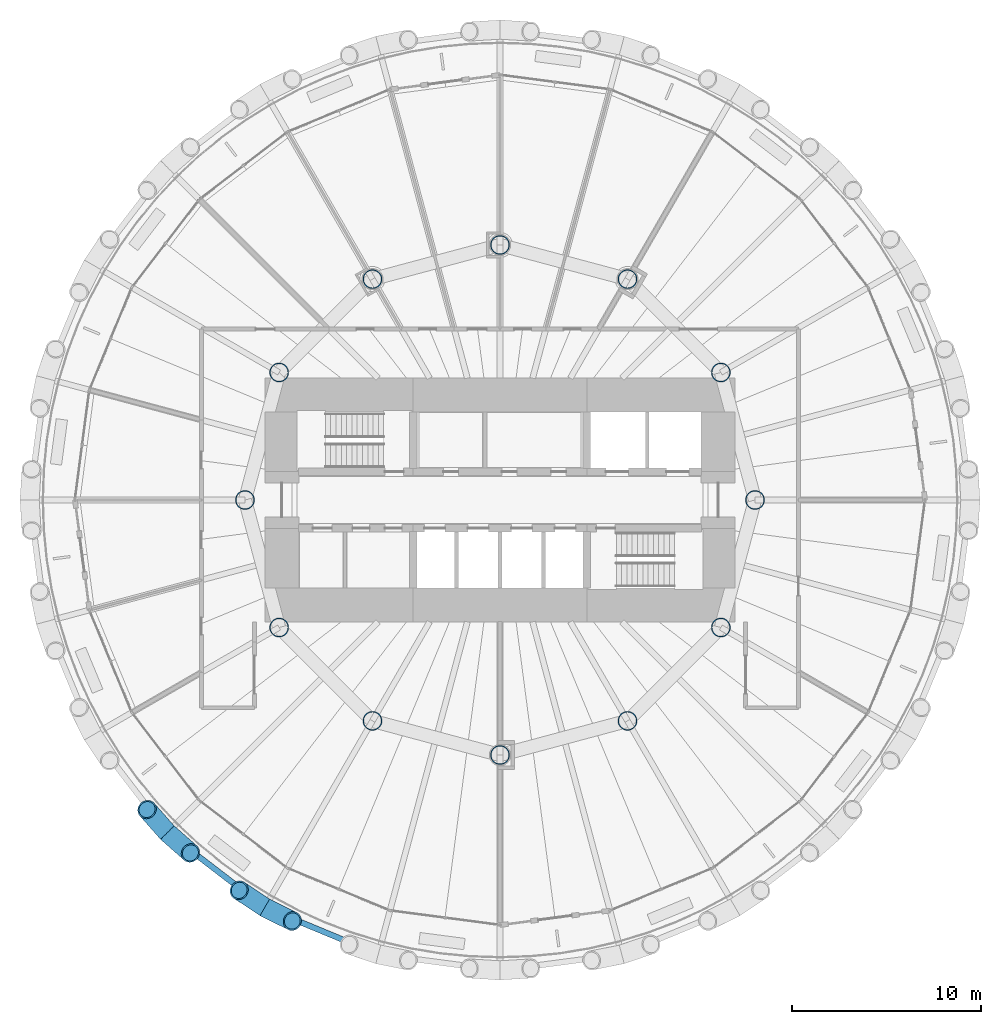
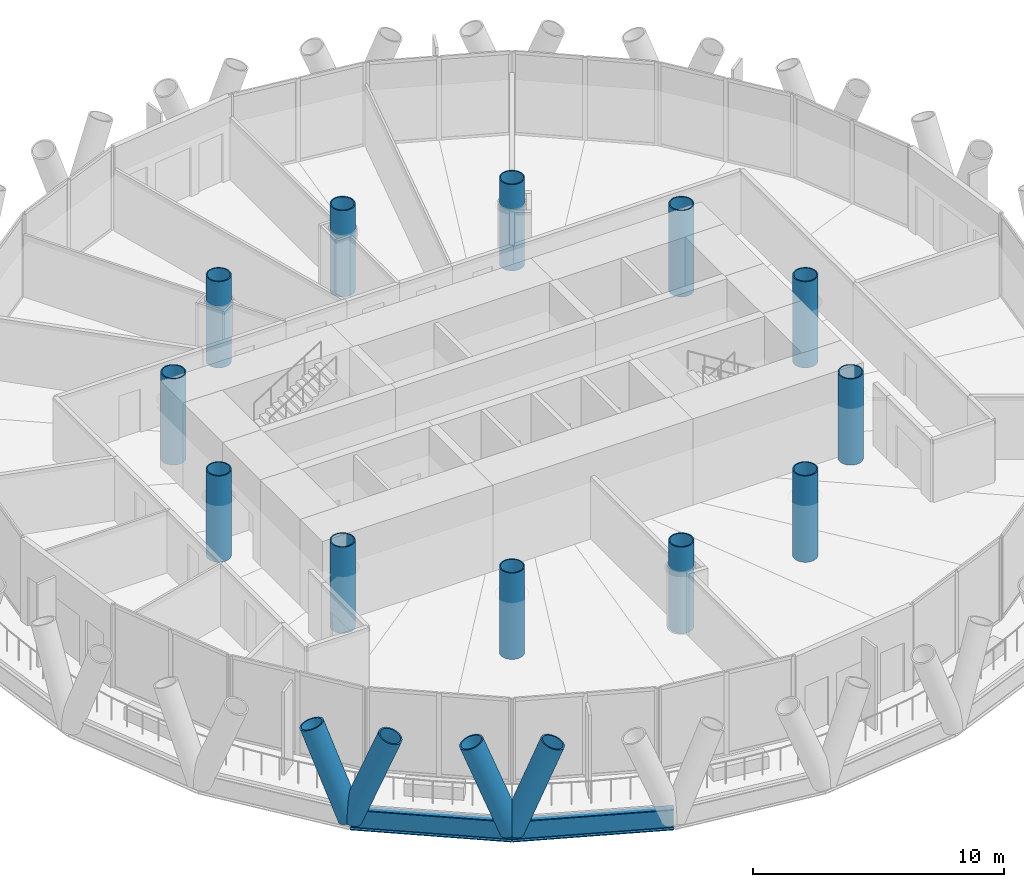
# One storey, part 1 of 15: 12 columns, 4 members, 2 beams.
"""IFC4 building model written with IfcOpenShell, lengths in metres."""

from ifc_helpers import new_model, si_unit, direction, frame, origin, origin_2d, place, context, subcontext, project, spatial, hollow_circle, i_section, extrude, material, material_profile, profile_set, type_object, element, save


model = new_model("IFC4")

# Units and contexts
model_context = context("Model", 3, precision=1e-05, world=origin(), true_north=direction((0.0, 1.0)))
body_context = subcontext(model_context, "Body", "Model", "MODEL_VIEW")
ifc_project = project(units=[si_unit("LENGTHUNIT", "METRE"), si_unit("AREAUNIT", "SQUARE_METRE"), si_unit("VOLUMEUNIT", "CUBIC_METRE"), si_unit("PLANEANGLEUNIT", "RADIAN"), si_unit("MASSUNIT", "GRAM", prefix="KILO")], contexts=[model_context])

# Site, building, storey
site_placement = place(None, origin())
site = spatial("IfcSite", under=ifc_project, at=site_placement, CompositionType="ELEMENT")
building_placement = place(site_placement, origin())
building = spatial("IfcBuilding", under=site, at=building_placement, Name="Qaws Media Tower", CompositionType="ELEMENT")
storey_placement = place(building_placement, frame((0.0, 0.0, 143.60009765625)))
storey = spatial("IfcBuildingStorey", under=building, at=storey_placement, Name="L32", CompositionType="ELEMENT", Elevation=143.60009765625)

# Columns
ifc_material_1 = material(Name="Steel S460", Category="steel")
ifc_material_profile_1 = material_profile(ifc_material_1, hollow_circle(Radius=0.508056640625, WallThickness=0.050048828125, at=origin_2d()), Name="CHS 1016x50")
ifc_profile_set_1 = profile_set([ifc_material_profile_1], Name="Steel S460")
column_type = type_object("IfcColumnType", Name="Inner column CHS 1016x50", PredefinedType="COLUMN", material=ifc_profile_set_1)
for number, where, z_axis, x_axis, name in (
    (1, (73.5, 50.0, 0.0), (0.0, 0.0, 1.0), (1.0, 0.0, 0.0), "C2 inner column I01 L32"),
    (2, (71.69140625, 56.75, 0.0), (0.0, 0.0, 1.0), (1.0, 0.0, 0.0), "C2 inner column I02 L32"),
    (3, (66.75, 61.69140625, 0.0), (0.0, 0.0, 1.0), (1.0, 0.0, 0.0), "C2 inner column I03 L32"),
    (4, (60.0, 63.5, 0.0), (0.0, 0.0, 1.0), (1.0, 0.0, 0.0), "C2 inner column I04 L32"),
    (5, (53.25, 61.69140625, 0.0), (0.0, 0.0, 1.0), (1.0, 0.0, 0.0), "C2 inner column I05 L32"),
    (6, (48.30859375, 56.75, 0.0), (0.0, 0.0, 1.0), (1.0, 0.0, 0.0), "C2 inner column I06 L32"),
    (7, (46.5, 50.0, 0.0), (0.0, 0.0, 1.0), (1.0, 0.0, 0.0), "C2 inner column I07 L32"),
    (8, (48.30859375, 43.25, 0.0), (0.0, 0.0, 1.0), (1.0, 0.0, 0.0), "C2 inner column I08 L32"),
    (9, (53.25, 38.30859375, 0.0), (0.0, 0.0, 1.0), (1.0, 0.0, 0.0), "C2 inner column I09 L32"),
    (10, (60.0, 36.5, 0.0), (0.0, 0.0, 1.0), (1.0, 0.0, 0.0), "C2 inner column I10 L32"),
    (11, (66.75, 38.30859375, 0.0), (0.0, 0.0, 1.0), (1.0, 0.0, 0.0), "C2 inner column I11 L32"),
    (12, (71.69140625, 43.25, 0.0), (0.0, 0.0, 1.0), (1.0, 0.0, 0.0), "C2 inner column I12 L32"),
):
    element("IfcColumn", number, at=place(storey_placement, frame(where, z_axis=z_axis, x_axis=x_axis)), inside=storey, type_object=column_type, Name=name, PredefinedType="COLUMN", context=body_context, shape_type="SweptSolid", body=[
        extrude(hollow_circle(Radius=0.508056640625, WallThickness=0.050048828125, at=origin_2d()), origin(), (0.0, 0.0, 1.0), 4.199951171875),
    ])

# Members
ifc_material_2 = material(Name="Steel S460", Category="steel")
ifc_material_profile_2 = material_profile(ifc_material_2, hollow_circle(Radius=0.508056640625, WallThickness=0.070068359375, at=origin_2d()), Name="CHS 1016x70")
ifc_profile_set_2 = profile_set([ifc_material_profile_2], Name="Steel S460")
member_type = type_object("IfcMemberType", Name="Diagrid member CHS 1016x70", PredefinedType="USERDEFINED", material=ifc_profile_set_2)
for number, where, z_axis, x_axis, name in (
    (13, (42.39306640625, 32.39306640625, -0.6640625), (0.271315476105, -0.238905037689, 0.932369184065), (0.660857681772, 0.750511242049, 0.0), "DG3 diagrid L32 A16"),
    (14, (42.39306640625, 32.39306640625, -0.6640625), (-0.238905037689, 0.271315476105, 0.932369184065), (-0.750511242049, -0.660857681772, 0.0), "DG3 diagrid L32 B16"),
    (15, (47.550048828125, 28.43603515625, -0.6640625), (0.323886904548, -0.160588503711, 0.93236720531), (0.444212684462, 0.895921364274, 0.0), "DG3 diagrid L32 A17"),
    (16, (47.550048828125, 28.43603515625, -0.6640625), (-0.301015104444, 0.200207021213, 0.932366374101), (-0.55380035877, -0.832649483652, 0.0), "DG3 diagrid L32 B17"),
):
    element("IfcMember", number, at=place(storey_placement, frame(where, z_axis=z_axis, x_axis=x_axis)), inside=storey, type_object=member_type, Name=name, ObjectType="DIAGRID", PredefinedType="USERDEFINED", context=body_context, shape_type="SweptSolid", body=[
        extrude(hollow_circle(Radius=0.508056640625, WallThickness=0.070068359375, at=origin_2d()), origin(), (0.0, 0.0, 1.0), 4.504638671875),
    ])

# Beams
ifc_material_3 = material(Name="Steel S460", Category="steel")
ifc_material_profile_3 = material_profile(ifc_material_3, i_section(OverallWidth=0.302001953125, OverallDepth=1.008056640625, WebThickness=0.02099609375, FlangeThickness=0.0400390625, FilletRadius=0.030029296875, at=origin_2d()), Name="HE 1000 M")
ifc_profile_set_3 = profile_set([ifc_material_profile_3], Name="Steel S460")
beam_type = type_object("IfcBeamType", Name="Edge ring beam HE 1000 M", PredefinedType="BEAM", material=ifc_profile_set_3)
for number, where, z_axis, x_axis, name in (
    (17, (42.39306640625, 32.39306640625, -0.6640625), (0.793357838289, -0.608755567059, 0.0), (0.608755567059, 0.793357838289, 0.0), "RB3 edge ring beam L32-16"),
    (18, (47.550048828125, 28.43603515625, -0.6640625), (0.9238772114, -0.382689035976, 0.0), (0.382689035976, 0.9238772114, 0.0), "RB3 edge ring beam L32-17"),
):
    element("IfcBeam", number, at=place(storey_placement, frame(where, z_axis=z_axis, x_axis=x_axis)), inside=storey, type_object=beam_type, Name=name, PredefinedType="BEAM", context=body_context, shape_type="SweptSolid", body=[
        extrude(i_section(OverallWidth=0.302001953125, OverallDepth=1.008056640625, WebThickness=0.02099609375, FlangeThickness=0.0400390625, FilletRadius=0.030029296875, at=origin_2d()), origin(), (0.0, 0.0, 1.0), 6.500244140625),
    ])

save(model, "model.ifc")
